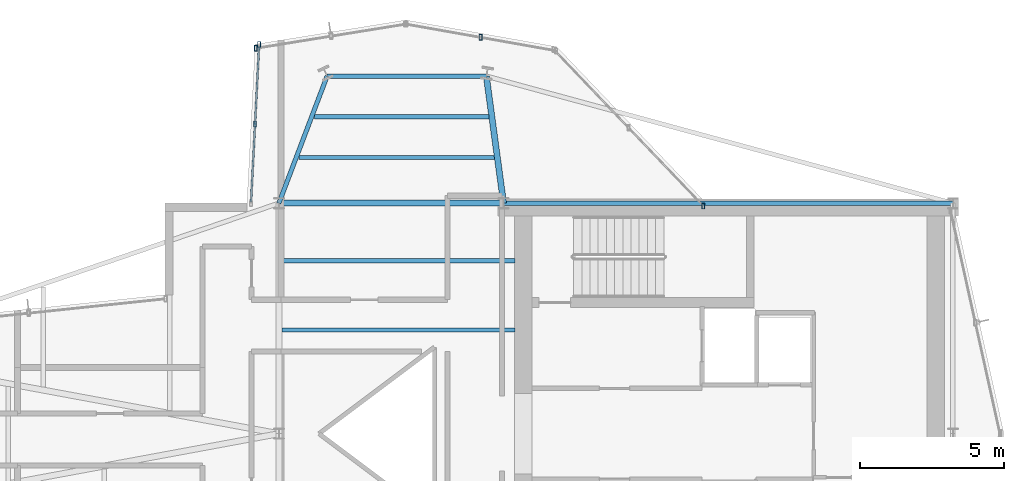
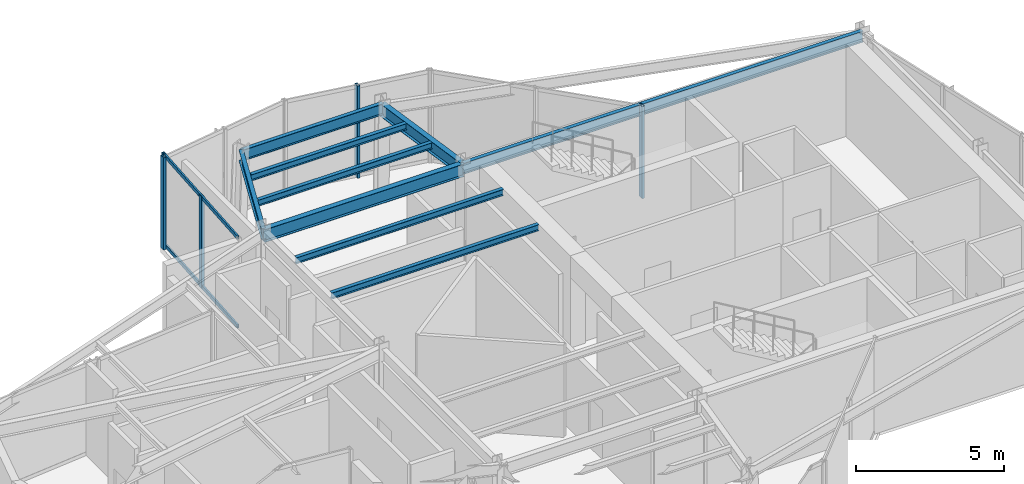
# One storey, part 5 of 14: 9 beams, 7 members, 4 elements without a shape of their own.
"""IFC4 building model written with IfcOpenShell, lengths in metres."""

from ifc_helpers import new_model, si_unit, direction, frame, origin, origin_2d, place, context, subcontext, project, spatial, hollow_rectangle, i_section, extrude, material, layer, layer_set, material_profile, profile_set, type_object, element, aggregate, save


model = new_model("IFC4")

# Units and contexts
model_context = context("Model", 3, precision=1e-05, world=origin(), true_north=direction((0.0, 1.0)))
body_context = subcontext(model_context, "Body", "Model", "MODEL_VIEW")
ifc_project = project(units=[si_unit("LENGTHUNIT", "METRE"), si_unit("AREAUNIT", "SQUARE_METRE"), si_unit("VOLUMEUNIT", "CUBIC_METRE"), si_unit("PLANEANGLEUNIT", "RADIAN"), si_unit("MASSUNIT", "GRAM", prefix="KILO")], contexts=[model_context])

# Site, building, storey
site_placement = place(None, origin())
site = spatial("IfcSite", under=ifc_project, at=site_placement, CompositionType="ELEMENT")
building_placement = place(site_placement, origin())
building = spatial("IfcBuilding", under=site, at=building_placement, Name="Veymaron Broadcast Tower", CompositionType="ELEMENT")
storey_placement = place(building_placement, frame((0.0, 0.0, 299.25)))
storey = spatial("IfcBuildingStorey", under=building, at=storey_placement, Name="L70", CompositionType="ELEMENT", Elevation=299.25)

# Beams
ifc_material_1 = material(Name="Structural steel ASTM A992 Gr 50", Category="steel")
ifc_material_profile_1 = material_profile(ifc_material_1, i_section(OverallWidth=0.208984375, OverallDepth=0.528076171875, WebThickness=0.009521484375, FlangeThickness=0.01318359375, at=origin_2d()), Name="W530X82")
ifc_profile_set_1 = profile_set([ifc_material_profile_1], Name="Structural steel ASTM A992 Gr 50")
beam_type_1 = type_object("IfcBeamType", Name="BM-FG4", PredefinedType="BEAM", material=ifc_profile_set_1)
beam_1_placement = place(storey_placement, frame((31.199951171875, 32.0, 3.5458984375), z_axis=(1.0, 0.0, 0.0), x_axis=(0.0, 1.0, 0.0)))
element("IfcBeam", 1, at=beam_1_placement, inside=storey, type_object=beam_type_1, Name="L70 primary structural floor girder", PredefinedType="BEAM", context=body_context, shape_type="SweptSolid", body=[
    extrude(i_section(OverallWidth=0.208984375, OverallDepth=0.528076171875, WebThickness=0.009521484375, FlangeThickness=0.01318359375, at=origin_2d()), origin(), (0.0, 0.0, 1.0), 7.800048828125),
])
beam_2_placement = place(storey_placement, frame((39.0, 32.0, 3.5458984375), z_axis=(-0.134286101992, 0.990942603187, 0.0), x_axis=(-0.990942603187, -0.134286101992, 0.0)))
element("IfcBeam", 2, at=beam_2_placement, inside=storey, type_object=beam_type_1, Name="L70 primary structural floor girder", PredefinedType="BEAM", context=body_context, shape_type="SweptSolid", body=[
    extrude(i_section(OverallWidth=0.208984375, OverallDepth=0.528076171875, WebThickness=0.009521484375, FlangeThickness=0.01318359375, at=origin_2d()), origin(), (0.0, 0.0, 1.0), 4.452392578125),
])
ifc_material_profile_2 = material_profile(ifc_material_1, i_section(OverallWidth=0.14599609375, OverallDepth=0.258056640625, WebThickness=0.006103515625, FlangeThickness=0.009033203125, at=origin_2d()), Name="W250X33")
ifc_profile_set_2 = profile_set([ifc_material_profile_2], Name="Structural steel ASTM A992 Gr 50")
beam_type_2 = type_object("IfcBeamType", Name="BM-JS4", PredefinedType="JOIST", material=ifc_profile_set_2)
beam_3_placement = place(storey_placement, frame((31.90283203125, 33.58837890625, 3.680908203125), z_axis=(1.0, 0.0, 0.0), x_axis=(0.0, 1.0, 0.0)))
element("IfcBeam", 3, at=beam_3_placement, inside=storey, type_object=beam_type_2, Name="L70 Arm-B secondary joist 1", PredefinedType="JOIST", context=body_context, shape_type="SweptSolid", body=[
    extrude(i_section(OverallWidth=0.14599609375, OverallDepth=0.258056640625, WebThickness=0.006103515625, FlangeThickness=0.009033203125, at=origin_2d()), origin(), (0.0, 0.0, 1.0), 6.781982421875),
])
beam_4_placement = place(storey_placement, frame((32.438720703125, 35.000244140625, 3.680908203125), z_axis=(1.0, 0.0, 0.0), x_axis=(0.0, 1.0, 0.0)))
element("IfcBeam", 4, at=beam_4_placement, inside=storey, type_object=beam_type_2, Name="L70 Arm-B secondary joist 2", PredefinedType="JOIST", context=body_context, shape_type="SweptSolid", body=[
    extrude(i_section(OverallWidth=0.14599609375, OverallDepth=0.258056640625, WebThickness=0.006103515625, FlangeThickness=0.009033203125, at=origin_2d()), origin(), (0.0, 0.0, 1.0), 6.0546875),
])
for number, where, z_axis, x_axis, name in (
    (5, (31.300048828125, 27.60009765625, 3.680908203125), (1.0, 0.0, 0.0), (0.0, 1.0, 0.0), "L70 Hub secondary joist 3"),
    (6, (31.300048828125, 30.0, 3.680908203125), (1.0, 0.0, 0.0), (0.0, 1.0, 0.0), "L70 Hub secondary joist 4"),
):
    element("IfcBeam", number, at=place(storey_placement, frame(where, z_axis=z_axis, x_axis=x_axis)), inside=storey, type_object=beam_type_2, Name=name, PredefinedType="JOIST", context=body_context, shape_type="SweptSolid", body=[
        extrude(i_section(OverallWidth=0.14599609375, OverallDepth=0.258056640625, WebThickness=0.006103515625, FlangeThickness=0.009033203125, at=origin_2d()), origin(), (0.0, 0.0, 1.0), 8.099853515625),
    ])
ifc_material_profile_3 = material_profile(ifc_material_1, i_section(OverallWidth=0.154052734375, OverallDepth=0.458984375, WebThickness=0.009033203125, FlangeThickness=0.015380859375, at=origin_2d()), Name="W460X68")
ifc_profile_set_3 = profile_set([ifc_material_profile_3], Name="Structural steel ASTM A992 Gr 50")
beam_type_3 = type_object("IfcBeamType", Name="BM-SP2", PredefinedType="SPANDREL", material=ifc_profile_set_3)
beam_5_placement = place(storey_placement, frame((39.0, 32.0, 3.58056640625), z_axis=(1.0, 0.0, 0.0), x_axis=(0.0, 1.0, 0.0)))
element("IfcBeam", 7, at=beam_5_placement, inside=storey, type_object=beam_type_3, Name="L70 primary structural floor girder", PredefinedType="SPANDREL", context=body_context, shape_type="SweptSolid", body=[
    extrude(i_section(OverallWidth=0.154052734375, OverallDepth=0.458984375, WebThickness=0.009033203125, FlangeThickness=0.015380859375, at=origin_2d()), origin(), (0.0, 0.0, 1.0), 15.60009765625),
])
beam_6_placement = place(storey_placement, frame((31.199951171875, 32.0, 3.58056640625), z_axis=(0.354839811516, 0.934927113824, 0.0), x_axis=(-0.934927113824, 0.354839811516, 0.0)))
element("IfcBeam", 8, at=beam_6_placement, inside=storey, type_object=beam_type_3, Name="L70 primary structural floor girder", PredefinedType="SPANDREL", context=body_context, shape_type="SweptSolid", body=[
    extrude(i_section(OverallWidth=0.154052734375, OverallDepth=0.458984375, WebThickness=0.009033203125, FlangeThickness=0.015380859375, at=origin_2d()), origin(), (0.0, 0.0, 1.0), 4.71923828125),
])
beam_7_placement = place(storey_placement, frame((32.87451171875, 36.412109375, 3.58056640625), z_axis=(1.0, 0.0, 0.0), x_axis=(0.0, 1.0, 0.0)))
element("IfcBeam", 9, at=beam_7_placement, inside=storey, type_object=beam_type_3, Name="L70 primary structural floor girder", PredefinedType="SPANDREL", context=body_context, shape_type="SweptSolid", body=[
    extrude(i_section(OverallWidth=0.154052734375, OverallDepth=0.458984375, WebThickness=0.009033203125, FlangeThickness=0.015380859375, at=origin_2d()), origin(), (0.0, 0.0, 1.0), 5.527587890625),
])

# Curtain wall, member
ifc_material_2 = material(Name="Anodised aluminium AA 6063-T6 and laminated low-E dark glass", Category="aluminium")
ifc_layer = layer(ifc_material_2, 0.179931640625)
ifc_layer_set = layer_set([ifc_layer], Name="Anodised aluminium AA 6063-T6 and laminated low-E dark glass")
curtain_wall_type = type_object("IfcCurtainWallType", Name="CW-SYS-06", PredefinedType="NOTDEFINED", material=ifc_layer_set)
curtain_wall_1_placement = place(storey_placement, origin())
curtain_wall_1 = element("IfcCurtainWall", 10, at=curtain_wall_1_placement, inside=storey, type_object=curtain_wall_type, Name="L70 dark-glass curtain wall CW-L70-E5-1", PredefinedType="NOTDEFINED")
ifc_material_3 = material(Name="Anodised aluminium AA 6063-T6", Category="aluminium")
ifc_material_profile_4 = material_profile(ifc_material_3, hollow_rectangle(XDim=0.10009765625, YDim=0.199951171875, WallThickness=0.010009765625, at=origin_2d()), Name="RHS200X100X10")
ifc_profile_set_4 = profile_set([ifc_material_profile_4], Name="Anodised aluminium AA 6063-T6")
member_type_1 = type_object("IfcMemberType", Name="CW-MUL-01", PredefinedType="MULLION", material=ifc_profile_set_4)
member_1_placement = place(storey_placement, frame((45.934326171875, 31.9033203125, 0.0), z_axis=(0.0, 0.0, 1.0), x_axis=(1.0, 0.0, 0.0)))
member_1 = element("IfcMember", 11, at=member_1_placement, type_object=member_type_1, Name="CW-L70-E5-1 mullion 0", PredefinedType="MULLION", context=body_context, shape_type="SweptSolid", body=[
    extrude(hollow_rectangle(XDim=0.10009765625, YDim=0.199951171875, WallThickness=0.010009765625, at=origin_2d()), origin(), (0.0, 0.0, 1.0), 3.81005859375),
])
aggregate(curtain_wall_1, [member_1])

curtain_wall_2_placement = place(storey_placement, origin())
curtain_wall_2 = element("IfcCurtainWall", 12, at=curtain_wall_2_placement, inside=storey, type_object=curtain_wall_type, Name="L70 dark-glass curtain wall CW-L70-E6-1", PredefinedType="NOTDEFINED")
member_2_placement = place(storey_placement, frame((38.2021484375, 37.75927734375, 0.0), z_axis=(0.0, 0.0, 1.0), x_axis=(1.0, 0.0, 0.0)))
member_2 = element("IfcMember", 13, at=member_2_placement, type_object=member_type_1, Name="CW-L70-E6-1 mullion 1", PredefinedType="MULLION", context=body_context, shape_type="SweptSolid", body=[
    extrude(hollow_rectangle(XDim=0.10009765625, YDim=0.199951171875, WallThickness=0.010009765625, at=origin_2d()), origin(), (0.0, 0.0, 1.0), 3.81005859375),
])
aggregate(curtain_wall_2, [member_2])

curtain_wall_3_placement = place(storey_placement, origin())
curtain_wall_3 = element("IfcCurtainWall", 14, at=curtain_wall_3_placement, inside=storey, type_object=curtain_wall_type, Name="L70 dark-glass curtain wall CW-L70-E7-1", PredefinedType="NOTDEFINED")
member_3_placement = place(storey_placement, frame((30.396728515625, 37.37890625, 0.0), z_axis=(0.0, 0.0, 1.0), x_axis=(1.0, 0.0, 0.0)))
member_3 = element("IfcMember", 15, at=member_3_placement, type_object=member_type_1, Name="CW-L70-E7-1 mullion 2", PredefinedType="MULLION", context=body_context, shape_type="SweptSolid", body=[
    extrude(hollow_rectangle(XDim=0.10009765625, YDim=0.199951171875, WallThickness=0.010009765625, at=origin_2d()), origin(), (0.0, 0.0, 1.0), 3.81005859375),
])
aggregate(curtain_wall_3, [member_3])

# Curtain wall, members
curtain_wall_4_placement = place(storey_placement, origin())
curtain_wall_4 = element("IfcCurtainWall", 16, at=curtain_wall_4_placement, inside=storey, type_object=curtain_wall_type, Name="L70 dark-glass curtain wall CW-L70-E8-1", PredefinedType="NOTDEFINED")
member_4_placement = place(storey_placement, frame((30.514404296875, 37.510009765625, 0.0), z_axis=(0.0, 0.0, 1.0), x_axis=(1.0, 0.0, 0.0)))
member_4 = element("IfcMember", 17, at=member_4_placement, type_object=member_type_1, Name="CW-L70-E8-1 mullion 0", PredefinedType="MULLION", context=body_context, shape_type="SweptSolid", body=[
    extrude(hollow_rectangle(XDim=0.10009765625, YDim=0.199951171875, WallThickness=0.010009765625, at=origin_2d()), origin(), (0.0, 0.0, 1.0), 3.81005859375),
])
member_5_placement = place(storey_placement, frame((30.372314453125, 34.75146484375, 0.0), z_axis=(0.0, 0.0, 1.0), x_axis=(1.0, 0.0, 0.0)))
member_5 = element("IfcMember", 18, at=member_5_placement, type_object=member_type_1, Name="CW-L70-E8-1 mullion 1", PredefinedType="MULLION", context=body_context, shape_type="SweptSolid", body=[
    extrude(hollow_rectangle(XDim=0.10009765625, YDim=0.199951171875, WallThickness=0.010009765625, at=origin_2d()), origin(), (0.0, 0.0, 1.0), 3.81005859375),
])
ifc_material_profile_5 = material_profile(ifc_material_3, hollow_rectangle(XDim=0.06494140625, YDim=0.14990234375, WallThickness=0.00390625, at=origin_2d()), Name="AL150X65X4")
ifc_profile_set_5 = profile_set([ifc_material_profile_5], Name="Anodised aluminium AA 6063-T6")
member_type_2 = type_object("IfcMemberType", Name="CW-TRN-01", PredefinedType="USERDEFINED", material=ifc_profile_set_5)
member_6_placement = place(storey_placement, frame((30.51171875, 37.460205078125, 0.070068359375), z_axis=(-0.051351716948, -0.998680630215, 0.0), x_axis=(0.998680630215, -0.051351716948, 0.0)))
member_6 = element("IfcMember", 19, at=member_6_placement, type_object=member_type_2, Name="CW-L70-E8-1 transom B", ObjectType="TRANSOM", PredefinedType="USERDEFINED", context=body_context, shape_type="SweptSolid", body=[
    extrude(hollow_rectangle(XDim=0.06494140625, YDim=0.14990234375, WallThickness=0.00390625, at=origin_2d()), origin(), (0.0, 0.0, 1.0), 5.424560546875),
])
member_7_placement = place(storey_placement, frame((30.51171875, 37.460205078125, 3.739990234375), z_axis=(-0.051351716948, -0.998680630215, 0.0), x_axis=(0.998680630215, -0.051351716948, 0.0)))
member_7 = element("IfcMember", 20, at=member_7_placement, type_object=member_type_2, Name="CW-L70-E8-1 transom T", ObjectType="TRANSOM", PredefinedType="USERDEFINED", context=body_context, shape_type="SweptSolid", body=[
    extrude(hollow_rectangle(XDim=0.06494140625, YDim=0.14990234375, WallThickness=0.00390625, at=origin_2d()), origin(), (0.0, 0.0, 1.0), 5.424560546875),
])
aggregate(curtain_wall_4, [member_4, member_5, member_6, member_7])

save(model, "model.ifc")
